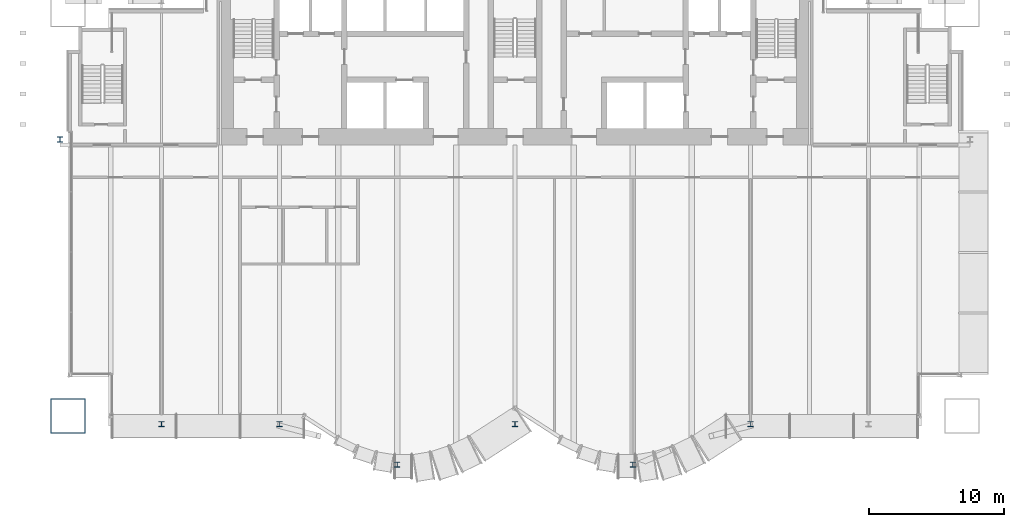
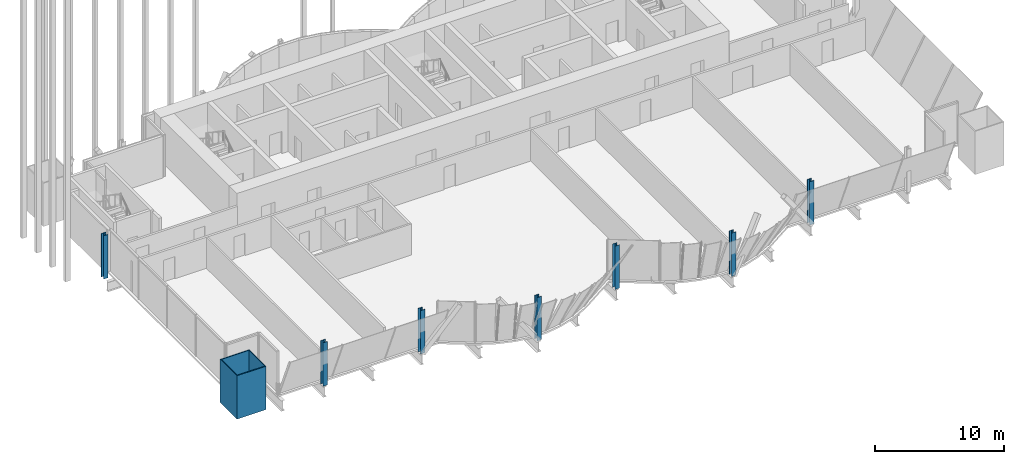
# One storey, part 1 of 33: 8 columns.
"""IFC4 building model written with IfcOpenShell, lengths in metres."""

from ifc_helpers import new_model, si_unit, direction, frame, origin, origin_2d, place, context, subcontext, project, spatial, hollow_rectangle, i_section, extrude, material, material_profile, profile_set, type_object, element, save


model = new_model("IFC4")

# Units and contexts
model_context = context("Model", 3, precision=1e-05, world=origin(), true_north=direction((0.0, 1.0)))
body_context = subcontext(model_context, "Body", "Model", "MODEL_VIEW")
ifc_project = project(units=[si_unit("LENGTHUNIT", "METRE"), si_unit("AREAUNIT", "SQUARE_METRE"), si_unit("VOLUMEUNIT", "CUBIC_METRE"), si_unit("PLANEANGLEUNIT", "RADIAN"), si_unit("MASSUNIT", "GRAM", prefix="KILO")], contexts=[model_context])

# Site, building, storey
site_placement = place(None, origin())
site = spatial("IfcSite", under=ifc_project, at=site_placement, CompositionType="ELEMENT")
building_placement = place(site_placement, origin())
building = spatial("IfcBuilding", under=site, at=building_placement, Name="Bicima Exchange Tower", CompositionType="ELEMENT")
storey_placement = place(building_placement, frame((0.0, 0.0, 140.39990234375)))
storey = spatial("IfcBuildingStorey", under=building, at=storey_placement, Name="L30", CompositionType="ELEMENT", Elevation=140.39990234375)

# Columns
ifc_material_1 = material(Name="Steel ASTM A572 Gr 50", Category="steel")
ifc_material_profile_1 = material_profile(ifc_material_1, hollow_rectangle(XDim=2.60009765625, YDim=2.60009765625, WallThickness=0.080078125, at=origin_2d()))
ifc_profile_set_1 = profile_set([ifc_material_profile_1], Name="Steel ASTM A572 Gr 50")
column_type_1 = type_object("IfcColumnType", Name="Mega column BOX 2600x2600x80", PredefinedType="COLUMN", material=ifc_profile_set_1)
column_placement = place(storey_placement, frame((-33.0, -33.02197265625, 0.0), z_axis=(0.0, 0.0, 1.0), x_axis=(1.0, 0.0, 0.0)))
element("IfcColumn", 1, at=column_placement, inside=storey, type_object=column_type_1, Name="Mega column mega-33.0f", PredefinedType="COLUMN", context=body_context, shape_type="SweptSolid", body=[
    extrude(hollow_rectangle(XDim=2.60009765625, YDim=2.60009765625, WallThickness=0.080078125, at=origin_2d()), origin(), (0.0, 0.0, 1.0), 4.10009765625),
])
ifc_material_2 = material(Name="Steel ASTM A992 Gr 50", Category="steel")
ifc_material_profile_2 = material_profile(ifc_material_2, i_section(OverallWidth=0.396240234375, OverallDepth=0.381103515625, WebThickness=0.01904296875, FlangeThickness=0.0302734375, at=origin_2d()))
ifc_profile_set_2 = profile_set([ifc_material_profile_2], Name="Steel ASTM A992 Gr 50")
column_type_2 = type_object("IfcColumnType", Name="Perimeter column W14x159", PredefinedType="COLUMN", material=ifc_profile_set_2)
for number, where, z_axis, x_axis, name in (
    (2, (-26.10009765625, -33.6220703125, 0.0), (0.0, 0.0, 1.0), (1.0, 0.0, 0.0), "Perimeter column grav-26.1f"),
    (3, (-17.39990234375, -33.6220703125, 0.0), (0.0, 0.0, 1.0), (1.0, 0.0, 0.0), "Perimeter column grav-17.4f"),
    (4, (-8.699951171875, -36.613037109375, 0.0), (0.0, 0.0, 1.0), (1.0, 0.0, 0.0), "Perimeter column grav-8.7f"),
    (5, (0.0, -33.6220703125, 0.0), (0.0, 0.0, 1.0), (1.0, 0.0, 0.0), "Perimeter column grav-0.0f"),
    (6, (8.699951171875, -36.613037109375, 0.0), (0.0, 0.0, 1.0), (1.0, 0.0, 0.0), "Perimeter column grav+8.7f"),
    (7, (17.39990234375, -33.6220703125, 0.0), (0.0, 0.0, 1.0), (1.0, 0.0, 0.0), "Perimeter column grav+17.4f"),
    (8, (-33.60009765625, -12.60009765625, 0.0), (0.0, 0.0, 1.0), (1.0, 0.0, 0.0), "End column end-33.6e"),
):
    element("IfcColumn", number, at=place(storey_placement, frame(where, z_axis=z_axis, x_axis=x_axis)), inside=storey, type_object=column_type_2, Name=name, PredefinedType="COLUMN", context=body_context, shape_type="SweptSolid", body=[
        extrude(i_section(OverallWidth=0.396240234375, OverallDepth=0.381103515625, WebThickness=0.01904296875, FlangeThickness=0.0302734375, at=origin_2d()), origin(), (0.0, 0.0, 1.0), 4.10009765625),
    ])

save(model, "model.ifc")
